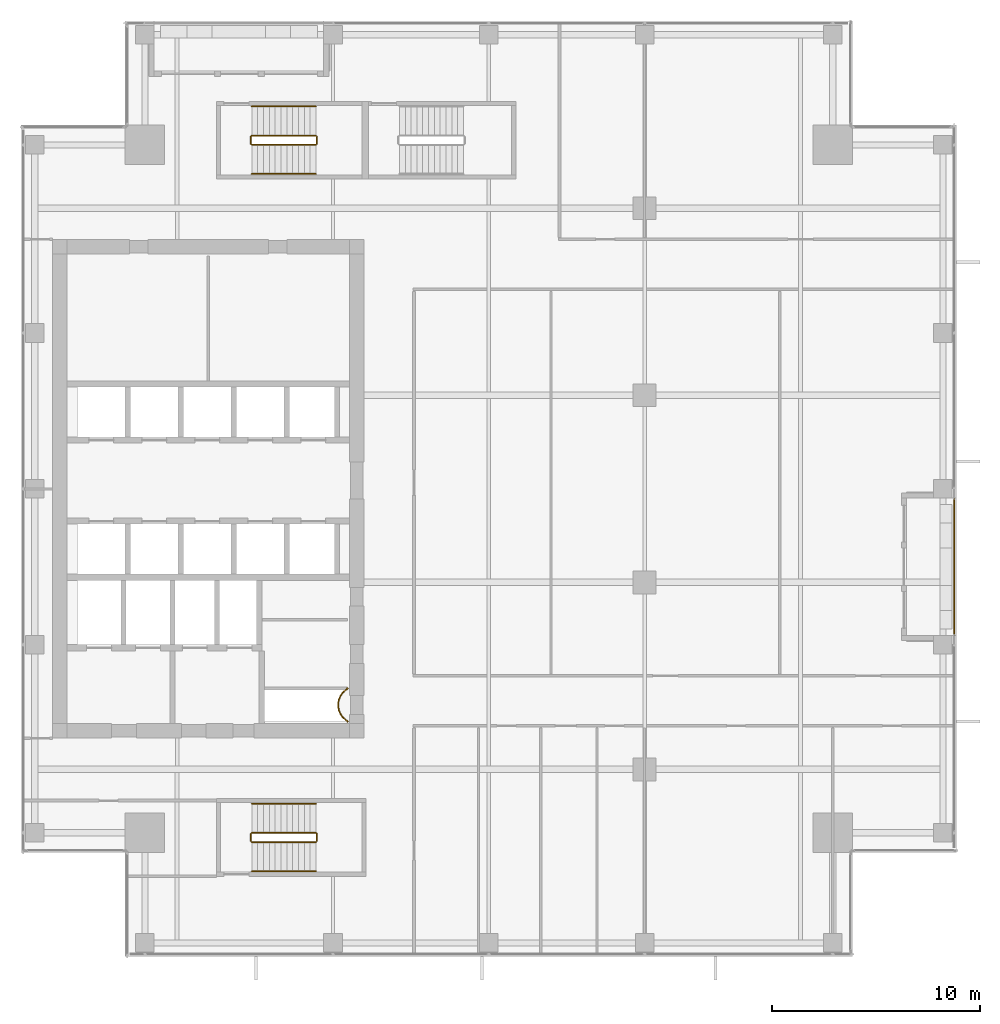
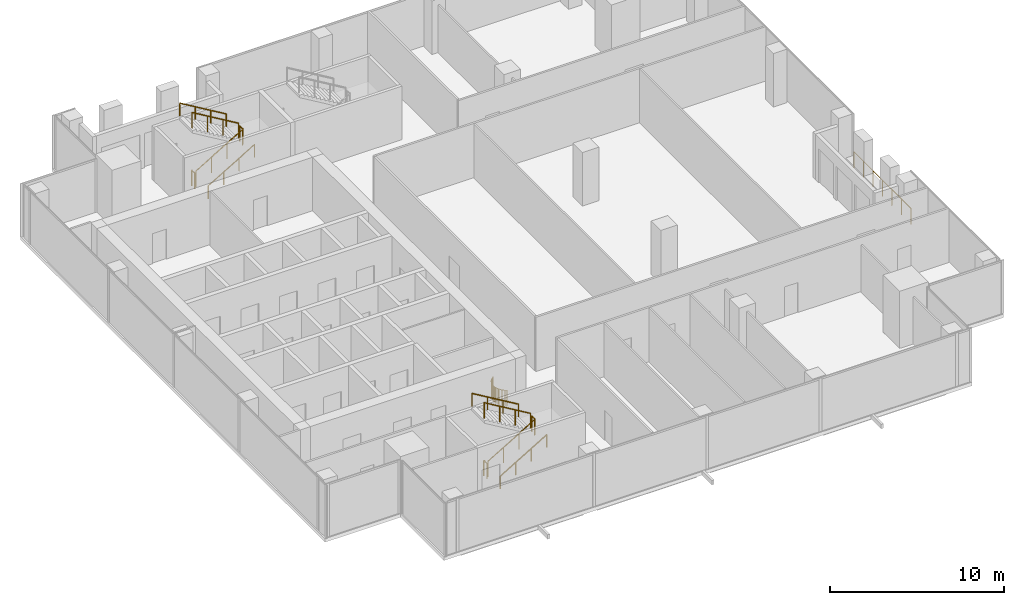
# One storey, part 34 of 36: 14 railings.
"""IFC4 building model written with IfcOpenShell, lengths in metres."""

from ifc_helpers import new_model, si_unit, direction, frame, origin, origin_2d, place, context, subcontext, project, spatial, circle, extrude, source, transform, mapped, material, type_object, element, save


model = new_model("IFC4")

# Units and contexts
model_context = context("Model", 3, precision=1e-05, world=origin(), true_north=direction((0.0, 1.0)))
body_context = subcontext(model_context, "Body", "Model", "MODEL_VIEW")
ifc_project = project(units=[si_unit("LENGTHUNIT", "METRE"), si_unit("AREAUNIT", "SQUARE_METRE"), si_unit("VOLUMEUNIT", "CUBIC_METRE"), si_unit("PLANEANGLEUNIT", "RADIAN"), si_unit("MASSUNIT", "GRAM", prefix="KILO")], contexts=[model_context])

# Site, building, storey
site_placement = place(None, origin())
site = spatial("IfcSite", under=ifc_project, at=site_placement, CompositionType="ELEMENT")
building_placement = place(site_placement, origin())
building = spatial("IfcBuilding", under=site, at=building_placement, Name="Khomas Fold Tower", CompositionType="ELEMENT")
storey_placement = place(building_placement, frame((0.0, 0.0, 226.199951171875)))
storey = spatial("IfcBuildingStorey", under=building, at=storey_placement, Name="L50", CompositionType="ELEMENT", Elevation=226.199951171875)

# Railings
ifc_material_1 = material(Name="Powder-coated steel", Category="steel")
railing_type_1 = type_object("IfcRailingType", Name="Balcony guard", PredefinedType="GUARDRAIL", material=ifc_material_1)
shared_shape_1 = source(origin(), body_context, "Body", "SweptSolid", [
    extrude(circle(Radius=0.02490234375, at=origin_2d()), frame((0.0, 0.0, 1.125), z_axis=(0.0, 1.0, 0.0), x_axis=(-1.0, 0.0, 0.0)), (0.0, 0.0, 1.0), 6.5400390625),
    extrude(circle(Radius=0.02001953125, at=origin_2d()), origin(), (0.0, 0.0, 1.0), 1.099853515625),
    extrude(circle(Radius=0.02001953125, at=origin_2d()), frame((0.0, 1.090087890625, 0.0)), (0.0, 0.0, 1.0), 1.099853515625),
    extrude(circle(Radius=0.02001953125, at=origin_2d()), frame((0.0, 2.179931640625, 0.0)), (0.0, 0.0, 1.0), 1.099853515625),
    extrude(circle(Radius=0.02001953125, at=origin_2d()), frame((0.0, 3.27001953125, 0.0)), (0.0, 0.0, 1.0), 1.099853515625),
    extrude(circle(Radius=0.02001953125, at=origin_2d()), frame((0.0, 4.360107421875, 0.0)), (0.0, 0.0, 1.0), 1.099853515625),
    extrude(circle(Radius=0.02001953125, at=origin_2d()), frame((0.0, 5.449951171875, 0.0)), (0.0, 0.0, 1.0), 1.099853515625),
    extrude(circle(Radius=0.02001953125, at=origin_2d()), frame((0.0, 6.5400390625, 0.0)), (0.0, 0.0, 1.0), 1.099853515625),
])
railing_1_placement = place(storey_placement, frame((49.39990234375, 19.97998046875, -0.044921875)))
element("IfcRailing", 1, at=railing_1_placement, inside=storey, type_object=railing_type_1, Name="Balcony guard BAL-L50-E2", PredefinedType="GUARDRAIL", context=body_context, shape_type="MappedRepresentation", body=[
    mapped(shared_shape_1, transform((0.0, 0.0, 0.0))),
])
ifc_material_2 = material(Name="Steel balustrade", Category="steel")
railing_type_2 = type_object("IfcRailingType", Name="Stair guard", PredefinedType="GUARDRAIL", material=ifc_material_2)
shared_shape_2 = source(origin(), body_context, "Body", "SweptSolid", [
    extrude(circle(Radius=0.02392578125, at=origin_2d()), frame((0.0, 0.0, 1.076171875), z_axis=(0.0, 1.0, 0.0), x_axis=(-1.0, 0.0, 0.0)), (0.0, 0.0, 1.0), 0.349853515625),
    extrude(circle(Radius=0.02099609375, at=origin_2d()), origin(), (0.0, 0.0, 1.0), 1.052001953125),
    extrude(circle(Radius=0.02099609375, at=origin_2d()), frame((0.0, 0.349853515625, 0.0)), (0.0, 0.0, 1.0), 1.052001953125),
])
for number, where, name in (
    (2, (18.72998046875, 43.60009765625, 2.0), "L50 ST1 stair guard 2"),
    (3, (15.550048828125, 43.60009765625, 0.0), "L50 ST1 stair guard 4"),
    (4, (18.72998046875, 10.050048828125, 2.0), "L50 ST2 stair guard 2"),
    (5, (15.550048828125, 10.050048828125, 0.0), "L50 ST2 stair guard 4"),
):
    element("IfcRailing", number, at=place(storey_placement, frame(where)), inside=storey, type_object=railing_type_2, Name=name, PredefinedType="GUARDRAIL", context=body_context, shape_type="MappedRepresentation", body=[
        mapped(shared_shape_2, transform((0.0, 0.0, 0.0))),
    ])
shared_shape_3 = source(origin(), body_context, "Body", "SweptSolid", [
    extrude(circle(Radius=0.02392578125, at=origin_2d()), frame((0.0, 0.0, 1.076171875), z_axis=(0.859290745958, 0.0, 0.51148745235), x_axis=(0.0, 1.0, 0.0)), (0.0, 0.0, 1.0), 3.584228515625),
    extrude(circle(Radius=0.02099609375, at=origin_2d()), origin(), (0.0, 0.0, 1.0), 1.052001953125),
    extrude(circle(Radius=0.02099609375, at=origin_2d()), frame((1.026611328125, 0.0, 0.611083984375)), (0.0, 0.0, 1.0), 1.052001953125),
    extrude(circle(Radius=0.02099609375, at=origin_2d()), frame((2.05322265625, 0.0, 1.22216796875)), (0.0, 0.0, 1.0), 1.052001953125),
    extrude(circle(Radius=0.02099609375, at=origin_2d()), frame((3.079833984375, 0.0, 1.833251953125)), (0.0, 0.0, 1.0), 1.052001953125),
])
for number, where, name in (
    (6, (15.60009765625, 43.550048828125, 0.166748046875), "L50 ST1 stair guard 1"),
    (7, (15.60009765625, 10.0, 0.166748046875), "L50 ST2 stair guard 1"),
):
    element("IfcRailing", number, at=place(storey_placement, frame(where)), inside=storey, type_object=railing_type_2, Name=name, PredefinedType="GUARDRAIL", context=body_context, shape_type="MappedRepresentation", body=[
        mapped(shared_shape_3, transform((0.0, 0.0, 0.0))),
    ])
shared_shape_4 = source(origin(), body_context, "Body", "SweptSolid", [
    extrude(circle(Radius=0.02392578125, at=origin_2d()), frame((0.0, 0.0, 1.076171875), z_axis=(-0.859290745958, 0.0, 0.51148745235), x_axis=(0.0, -1.0, 0.0)), (0.0, 0.0, 1.0), 3.584228515625),
    extrude(circle(Radius=0.02099609375, at=origin_2d()), origin(), (0.0, 0.0, 1.0), 1.052001953125),
    extrude(circle(Radius=0.02099609375, at=origin_2d()), frame((-1.026611328125, 0.0, 0.611083984375)), (0.0, 0.0, 1.0), 1.052001953125),
    extrude(circle(Radius=0.02099609375, at=origin_2d()), frame((-2.05322265625, 0.0, 1.22216796875)), (0.0, 0.0, 1.0), 1.052001953125),
    extrude(circle(Radius=0.02099609375, at=origin_2d()), frame((-3.079833984375, 0.0, 1.833251953125)), (0.0, 0.0, 1.0), 1.052001953125),
])
for number, where, name in (
    (8, (18.679931640625, 44.0, 2.166748046875), "L50 ST1 stair guard 3"),
    (9, (18.679931640625, 10.449951171875, 2.166748046875), "L50 ST2 stair guard 3"),
):
    element("IfcRailing", number, at=place(storey_placement, frame(where)), inside=storey, type_object=railing_type_2, Name=name, PredefinedType="GUARDRAIL", context=body_context, shape_type="MappedRepresentation", body=[
        mapped(shared_shape_4, transform((0.0, 0.0, 0.0))),
    ])
ifc_material_3 = material(Name="Steel handrail", Category="steel")
railing_type_3 = type_object("IfcRailingType", Name="Stair handrail", PredefinedType="HANDRAIL", material=ifc_material_3)
shared_shape_5 = source(origin(), body_context, "Body", "SweptSolid", [
    extrude(circle(Radius=0.02392578125, at=origin_2d()), frame((0.0, 0.0, 0.8759765625), z_axis=(0.859290745958, 0.0, 0.51148745235), x_axis=(0.0, 1.0, 0.0)), (0.0, 0.0, 1.0), 3.584228515625),
    extrude(circle(Radius=0.02099609375, at=origin_2d()), origin(), (0.0, 0.0, 1.0), 0.851806640625),
    extrude(circle(Radius=0.02099609375, at=origin_2d()), frame((1.026611328125, 0.0, 0.611083984375)), (0.0, 0.0, 1.0), 0.851806640625),
    extrude(circle(Radius=0.02099609375, at=origin_2d()), frame((2.05322265625, 0.0, 1.22216796875)), (0.0, 0.0, 1.0), 0.851806640625),
    extrude(circle(Radius=0.02099609375, at=origin_2d()), frame((3.079833984375, 0.0, 1.833251953125)), (0.0, 0.0, 1.0), 0.851806640625),
])
for number, where, name in (
    (10, (15.60009765625, 42.14990234375, 0.166748046875), "L50 ST1 stair handrail 1"),
    (11, (15.60009765625, 8.60009765625, 0.166748046875), "L50 ST2 stair handrail 1"),
):
    element("IfcRailing", number, at=place(storey_placement, frame(where)), inside=storey, type_object=railing_type_3, Name=name, PredefinedType="HANDRAIL", context=body_context, shape_type="MappedRepresentation", body=[
        mapped(shared_shape_5, transform((0.0, 0.0, 0.0))),
    ])
shared_shape_6 = source(origin(), body_context, "Body", "SweptSolid", [
    extrude(circle(Radius=0.02392578125, at=origin_2d()), frame((0.0, 0.0, 0.8759765625), z_axis=(-0.859290745958, 0.0, 0.51148745235), x_axis=(0.0, -1.0, 0.0)), (0.0, 0.0, 1.0), 3.584228515625),
    extrude(circle(Radius=0.02099609375, at=origin_2d()), origin(), (0.0, 0.0, 1.0), 0.851806640625),
    extrude(circle(Radius=0.02099609375, at=origin_2d()), frame((-1.026611328125, 0.0, 0.611083984375)), (0.0, 0.0, 1.0), 0.851806640625),
    extrude(circle(Radius=0.02099609375, at=origin_2d()), frame((-2.05322265625, 0.0, 1.22216796875)), (0.0, 0.0, 1.0), 0.851806640625),
    extrude(circle(Radius=0.02099609375, at=origin_2d()), frame((-3.079833984375, 0.0, 1.833251953125)), (0.0, 0.0, 1.0), 0.851806640625),
])
for number, where, name in (
    (12, (18.679931640625, 45.39990234375, 2.166748046875), "L50 ST1 stair handrail 2"),
    (13, (18.679931640625, 11.85009765625, 2.166748046875), "L50 ST2 stair handrail 2"),
):
    element("IfcRailing", number, at=place(storey_placement, frame(where)), inside=storey, type_object=railing_type_3, Name=name, PredefinedType="HANDRAIL", context=body_context, shape_type="MappedRepresentation", body=[
        mapped(shared_shape_6, transform((0.0, 0.0, 0.0))),
    ])
ifc_material_4 = material(Name="Steel balustrade", Category="steel")
railing_type_4 = type_object("IfcRailingType", Name="Shaft guard", PredefinedType="GUARDRAIL", material=ifc_material_4)
shared_shape_7 = source(origin(), body_context, "Body", "SweptSolid", [
    extrude(circle(Radius=0.02490234375, at=origin_2d()), frame((0.0, 0.0, 1.0751953125), z_axis=(1.0, 0.0, 0.0), x_axis=(0.0, 1.0, 0.0)), (0.0, 0.0, 1.0), 0.02197265625),
    extrude(circle(Radius=0.02490234375, at=origin_2d()), frame((0.02197265625, 0.0, 1.0751953125), z_axis=(0.0, -1.0, 0.0), x_axis=(1.0, 0.0, 0.0)), (0.0, 0.0, 1.0), 0.021484375),
    extrude(circle(Radius=0.02490234375, at=origin_2d()), frame((0.02197265625, -0.021484375, 1.0751953125), z_axis=(-0.857492925713, -0.514495755428, 0.0), x_axis=(0.514495755428, -0.857492925713, 0.0)), (0.0, 0.0, 1.0), 0.058349609375),
    extrude(circle(Radius=0.02490234375, at=origin_2d()), frame((-0.028076171875, -0.051513671875, 1.0751953125), z_axis=(-0.801986734315, -0.597341843489, 0.0), x_axis=(0.597341843489, -0.801986734315, 0.0)), (0.0, 0.0, 1.0), 0.08837890625),
    extrude(circle(Radius=0.02490234375, at=origin_2d()), frame((-0.098876953125, -0.104248046875, 1.0751953125), z_axis=(-0.740814996175, -0.671709119666, 0.0), x_axis=(0.671709119666, -0.740814996175, 0.0)), (0.0, 0.0, 1.0), 0.08837890625),
    extrude(circle(Radius=0.02490234375, at=origin_2d()), frame((-0.164306640625, -0.16357421875, 1.0751953125), z_axis=(-0.671709119666, -0.740814996175, 0.0), x_axis=(0.740814996175, -0.671709119666, 0.0)), (0.0, 0.0, 1.0), 0.08837890625),
    extrude(circle(Radius=0.02490234375, at=origin_2d()), frame((-0.2236328125, -0.22900390625, 1.0751953125), z_axis=(-0.597341843489, -0.801986734315, 0.0), x_axis=(0.801986734315, -0.597341843489, 0.0)), (0.0, 0.0, 1.0), 0.08837890625),
    extrude(circle(Radius=0.02490234375, at=origin_2d()), frame((-0.2763671875, -0.2998046875, 1.0751953125), z_axis=(-0.514495755428, -0.857492925713, 0.0), x_axis=(0.857492925713, -0.514495755428, 0.0)), (0.0, 0.0, 1.0), 0.08837890625),
    extrude(circle(Radius=0.02490234375, at=origin_2d()), frame((-0.32177734375, -0.37548828125, 1.0751953125), z_axis=(-0.424999439989, -0.905193612444, 0.0), x_axis=(0.905193612444, -0.424999439989, 0.0)), (0.0, 0.0, 1.0), 0.08837890625),
    extrude(circle(Radius=0.02490234375, at=origin_2d()), frame((-0.359375, -0.45556640625, 1.0751953125), z_axis=(-0.337738989679, -0.941239807302, 0.0), x_axis=(0.941239807302, -0.337738989679, 0.0)), (0.0, 0.0, 1.0), 0.088134765625),
    extrude(circle(Radius=0.02490234375, at=origin_2d()), frame((-0.38916015625, -0.53857421875, 1.0751953125), z_axis=(-0.243185799972, -0.969979724887, 0.0), x_axis=(0.969979724887, -0.243185799972, 0.0)), (0.0, 0.0, 1.0), 0.08837890625),
    extrude(circle(Radius=0.02490234375, at=origin_2d()), frame((-0.41064453125, -0.624267578125, 1.0751953125), z_axis=(-0.146448518259, -0.989218293148, 0.0), x_axis=(0.989218293148, -0.146448518259, 0.0)), (0.0, 0.0, 1.0), 0.08837890625),
    extrude(circle(Radius=0.02490234375, at=origin_2d()), frame((-0.423583984375, -0.711669921875, 1.0751953125), z_axis=(-0.049799629132, -0.998759228712, 0.0), x_axis=(0.998759228712, -0.049799629132, 0.0)), (0.0, 0.0, 1.0), 0.088134765625),
    extrude(circle(Radius=0.02490234375, at=origin_2d()), frame((-0.427978515625, -0.7998046875, 1.0751953125), z_axis=(0.049662400856, -0.998766061669, 0.0), x_axis=(0.998766061669, 0.049662400856, 0.0)), (0.0, 0.0, 1.0), 0.08837890625),
    extrude(circle(Radius=0.02490234375, at=origin_2d()), frame((-0.423583984375, -0.88818359375, 1.0751953125), z_axis=(0.146448518259, -0.989218293148, 0.0), x_axis=(0.989218293148, 0.146448518259, 0.0)), (0.0, 0.0, 1.0), 0.08837890625),
    extrude(circle(Radius=0.02490234375, at=origin_2d()), frame((-0.41064453125, -0.9755859375, 1.0751953125), z_axis=(0.243185799972, -0.969979724887, 0.0), x_axis=(0.969979724887, 0.243185799972, 0.0)), (0.0, 0.0, 1.0), 0.08837890625),
    extrude(circle(Radius=0.02490234375, at=origin_2d()), frame((-0.38916015625, -1.061279296875, 1.0751953125), z_axis=(0.337738989679, -0.941239807302, 0.0), x_axis=(0.941239807302, 0.337738989679, 0.0)), (0.0, 0.0, 1.0), 0.088134765625),
    extrude(circle(Radius=0.02490234375, at=origin_2d()), frame((-0.359375, -1.144287109375, 1.0751953125), z_axis=(0.426063493689, -0.904693262573, 0.0), x_axis=(0.904693262573, 0.426063493689, 0.0)), (0.0, 0.0, 1.0), 0.088134765625),
    extrude(circle(Radius=0.02490234375, at=origin_2d()), frame((-0.32177734375, -1.22412109375, 1.0751953125), z_axis=(0.514495755428, -0.857492925713, 0.0), x_axis=(0.857492925713, 0.514495755428, 0.0)), (0.0, 0.0, 1.0), 0.08837890625),
    extrude(circle(Radius=0.02490234375, at=origin_2d()), frame((-0.2763671875, -1.2998046875, 1.0751953125), z_axis=(0.596019138224, -0.802970227885, 0.0), x_axis=(0.802970227885, 0.596019138224, 0.0)), (0.0, 0.0, 1.0), 0.08837890625),
    extrude(circle(Radius=0.02490234375, at=origin_2d()), frame((-0.2236328125, -1.370849609375, 1.0751953125), z_axis=(0.671709119666, -0.740814996175, 0.0), x_axis=(0.740814996175, 0.671709119666, 0.0)), (0.0, 0.0, 1.0), 0.08837890625),
    extrude(circle(Radius=0.02490234375, at=origin_2d()), frame((-0.164306640625, -1.436279296875, 1.0751953125), z_axis=(0.740814996175, -0.671709119666, 0.0), x_axis=(0.671709119666, 0.740814996175, 0.0)), (0.0, 0.0, 1.0), 0.08837890625),
    extrude(circle(Radius=0.02490234375, at=origin_2d()), frame((-0.098876953125, -1.49560546875, 1.0751953125), z_axis=(0.803311771616, -0.595558727233, 0.0), x_axis=(0.595558727233, 0.803311771616, 0.0)), (0.0, 0.0, 1.0), 0.088134765625),
    extrude(circle(Radius=0.02490234375, at=origin_2d()), frame((-0.028076171875, -1.548095703125, 1.0751953125), z_axis=(0.857492925713, -0.514495755428, 0.0), x_axis=(0.514495755428, 0.857492925713, 0.0)), (0.0, 0.0, 1.0), 0.058349609375),
    extrude(circle(Radius=0.02490234375, at=origin_2d()), frame((0.02197265625, -1.578125, 1.0751953125), z_axis=(0.0, -1.0, 0.0), x_axis=(1.0, 0.0, 0.0)), (0.0, 0.0, 1.0), 0.021728515625),
    extrude(circle(Radius=0.02490234375, at=origin_2d()), frame((0.02197265625, -1.599853515625, 1.0751953125), z_axis=(-1.0, 0.0, 0.0), x_axis=(0.0, -1.0, 0.0)), (0.0, 0.0, 1.0), 0.02197265625),
    extrude(circle(Radius=0.02001953125, at=origin_2d()), origin(), (0.0, 0.0, 1.0), 1.050048828125),
    extrude(circle(Radius=0.02001953125, at=origin_2d()), frame((0.02197265625, 0.0, 0.0)), (0.0, 0.0, 1.0), 1.050048828125),
    extrude(circle(Radius=0.02001953125, at=origin_2d()), frame((0.02197265625, -0.021484375, 0.0)), (0.0, 0.0, 1.0), 1.050048828125),
    extrude(circle(Radius=0.02001953125, at=origin_2d()), frame((-0.028076171875, -0.051513671875, 0.0)), (0.0, 0.0, 1.0), 1.050048828125),
    extrude(circle(Radius=0.02001953125, at=origin_2d()), frame((-0.098876953125, -0.104248046875, 0.0)), (0.0, 0.0, 1.0), 1.050048828125),
    extrude(circle(Radius=0.02001953125, at=origin_2d()), frame((-0.164306640625, -0.16357421875, 0.0)), (0.0, 0.0, 1.0), 1.050048828125),
    extrude(circle(Radius=0.02001953125, at=origin_2d()), frame((-0.2236328125, -0.22900390625, 0.0)), (0.0, 0.0, 1.0), 1.050048828125),
    extrude(circle(Radius=0.02001953125, at=origin_2d()), frame((-0.2763671875, -0.2998046875, 0.0)), (0.0, 0.0, 1.0), 1.050048828125),
    extrude(circle(Radius=0.02001953125, at=origin_2d()), frame((-0.32177734375, -0.37548828125, 0.0)), (0.0, 0.0, 1.0), 1.050048828125),
    extrude(circle(Radius=0.02001953125, at=origin_2d()), frame((-0.359375, -0.45556640625, 0.0)), (0.0, 0.0, 1.0), 1.050048828125),
    extrude(circle(Radius=0.02001953125, at=origin_2d()), frame((-0.38916015625, -0.53857421875, 0.0)), (0.0, 0.0, 1.0), 1.050048828125),
    extrude(circle(Radius=0.02001953125, at=origin_2d()), frame((-0.41064453125, -0.624267578125, 0.0)), (0.0, 0.0, 1.0), 1.050048828125),
    extrude(circle(Radius=0.02001953125, at=origin_2d()), frame((-0.423583984375, -0.711669921875, 0.0)), (0.0, 0.0, 1.0), 1.050048828125),
    extrude(circle(Radius=0.02001953125, at=origin_2d()), frame((-0.427978515625, -0.7998046875, 0.0)), (0.0, 0.0, 1.0), 1.050048828125),
    extrude(circle(Radius=0.02001953125, at=origin_2d()), frame((-0.423583984375, -0.88818359375, 0.0)), (0.0, 0.0, 1.0), 1.050048828125),
    extrude(circle(Radius=0.02001953125, at=origin_2d()), frame((-0.41064453125, -0.9755859375, 0.0)), (0.0, 0.0, 1.0), 1.050048828125),
    extrude(circle(Radius=0.02001953125, at=origin_2d()), frame((-0.38916015625, -1.061279296875, 0.0)), (0.0, 0.0, 1.0), 1.050048828125),
    extrude(circle(Radius=0.02001953125, at=origin_2d()), frame((-0.359375, -1.144287109375, 0.0)), (0.0, 0.0, 1.0), 1.050048828125),
    extrude(circle(Radius=0.02001953125, at=origin_2d()), frame((-0.32177734375, -1.22412109375, 0.0)), (0.0, 0.0, 1.0), 1.050048828125),
    extrude(circle(Radius=0.02001953125, at=origin_2d()), frame((-0.2763671875, -1.2998046875, 0.0)), (0.0, 0.0, 1.0), 1.050048828125),
    extrude(circle(Radius=0.02001953125, at=origin_2d()), frame((-0.2236328125, -1.370849609375, 0.0)), (0.0, 0.0, 1.0), 1.050048828125),
    extrude(circle(Radius=0.02001953125, at=origin_2d()), frame((-0.164306640625, -1.436279296875, 0.0)), (0.0, 0.0, 1.0), 1.050048828125),
    extrude(circle(Radius=0.02001953125, at=origin_2d()), frame((-0.098876953125, -1.49560546875, 0.0)), (0.0, 0.0, 1.0), 1.050048828125),
    extrude(circle(Radius=0.02001953125, at=origin_2d()), frame((-0.028076171875, -1.548095703125, 0.0)), (0.0, 0.0, 1.0), 1.050048828125),
    extrude(circle(Radius=0.02001953125, at=origin_2d()), frame((0.02197265625, -1.578125, 0.0)), (0.0, 0.0, 1.0), 1.050048828125),
    extrude(circle(Radius=0.02001953125, at=origin_2d()), frame((0.02197265625, -1.599853515625, 0.0)), (0.0, 0.0, 1.0), 1.050048828125),
    extrude(circle(Radius=0.02001953125, at=origin_2d()), frame((0.0, -1.599853515625, 0.0)), (0.0, 0.0, 1.0), 1.050048828125),
])
railing_2_placement = place(storey_placement, frame((20.177978515625, 17.39990234375, 0.0)))
element("IfcRailing", 14, at=railing_2_placement, inside=storey, type_object=railing_type_4, Name="Shaft guard L50 1", PredefinedType="GUARDRAIL", context=body_context, shape_type="MappedRepresentation", body=[
    mapped(shared_shape_7, transform((0.0, 0.0, 0.0))),
])

save(model, "model.ifc")
